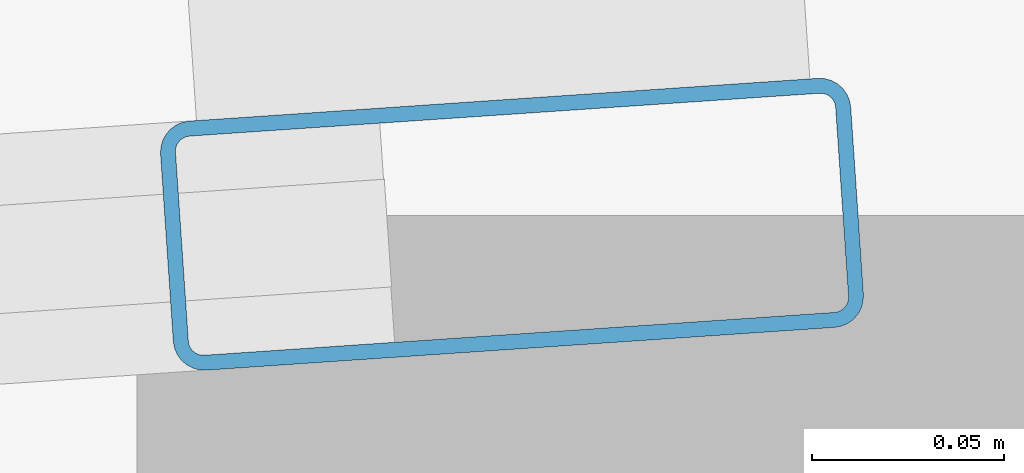
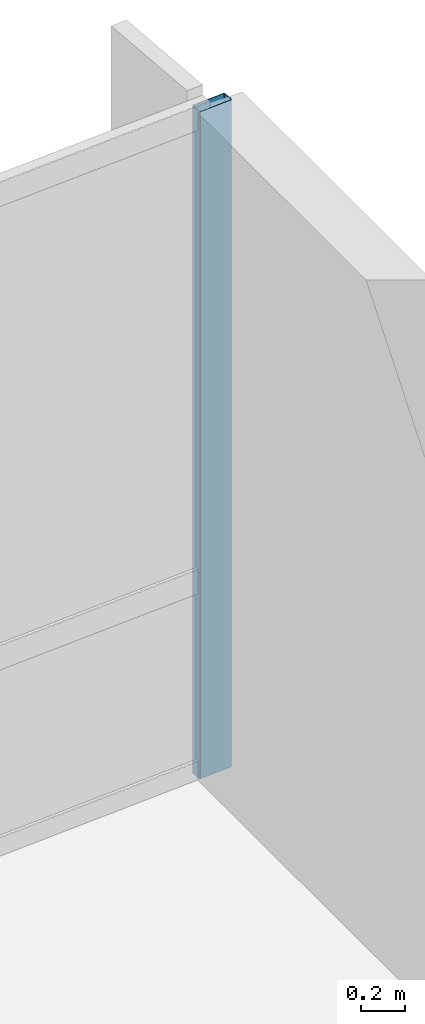
# One storey, part 9 of 17: 1 member, 1 element without a shape of its own.
"""IFC4 building model written with IfcOpenShell, lengths in metres."""

from ifc_helpers import new_model, si_unit, direction, frame, origin, origin_2d, place, context, subcontext, project, spatial, hollow_rectangle, extrude, material, layer, layer_set, material_profile, profile_set, type_object, element, aggregate, save


model = new_model("IFC4")

# Units and contexts
model_context = context("Model", 3, precision=1e-05, world=origin(), true_north=direction((0.0, 1.0)))
body_context = subcontext(model_context, "Body", "Model", "MODEL_VIEW")
ifc_project = project(units=[si_unit("LENGTHUNIT", "METRE"), si_unit("AREAUNIT", "SQUARE_METRE"), si_unit("VOLUMEUNIT", "CUBIC_METRE"), si_unit("PLANEANGLEUNIT", "RADIAN"), si_unit("MASSUNIT", "GRAM", prefix="KILO")], contexts=[model_context])

# Site, building, storey
site_placement = place(None, origin())
site = spatial("IfcSite", under=ifc_project, at=site_placement, CompositionType="ELEMENT")
building_placement = place(site_placement, origin())
building = spatial("IfcBuilding", under=site, at=building_placement, Name="Varnakote Quay Hospital", CompositionType="ELEMENT")
storey_placement = place(building_placement, frame((0.0, 0.0, 219.75)))
storey = spatial("IfcBuildingStorey", under=building, at=storey_placement, Name="L54", CompositionType="ELEMENT", Elevation=219.75)

# Curtain wall, member
ifc_material_1 = material(Name="Anodised aluminium 6063-T6 Bronze", Category="aluminium")
ifc_layer = layer(ifc_material_1, 0.219970703125)
ifc_layer_set = layer_set([ifc_layer], Name="Anodised aluminium 6063-T6 Bronze")
curtain_wall_type = type_object("IfcCurtainWallType", Name="CW-SYS-4", PredefinedType="NOTDEFINED", material=ifc_layer_set)
curtain_wall_placement = place(storey_placement, origin())
curtain_wall = element("IfcCurtainWall", 1, at=curtain_wall_placement, inside=storey, type_object=curtain_wall_type, Name="L54 Unitised Bronze Curtain Wall 2", PredefinedType="NOTDEFINED")
ifc_material_2 = material(Name="Anodised aluminium 6063-T6 Bronze", Category="aluminium")
ifc_material_profile = material_profile(ifc_material_2, hollow_rectangle(XDim=0.06494140625, YDim=0.179931640625, WallThickness=0.00390625, InnerFilletRadius=0.00390625, OuterFilletRadius=0.008056640625, at=origin_2d()), Name="CW-MULL-180x65")
ifc_profile_set = profile_set([ifc_material_profile], Name="Anodised aluminium 6063-T6 Bronze")
member_type = type_object("IfcMemberType", Name="CW-MULL-180x65", PredefinedType="MULLION", material=ifc_profile_set)
member_placement = place(storey_placement, frame((48.507568359375, 31.626708984375, 0.0), z_axis=(0.0, 0.0, 1.0), x_axis=(0.067841851077, -0.997696087615, 0.0)))
member = element("IfcMember", 2, at=member_placement, type_object=member_type, Name="-4-L54-2 mullion 1", PredefinedType="MULLION", context=body_context, shape_type="SweptSolid", body=[
    extrude(hollow_rectangle(XDim=0.06494140625, YDim=0.179931640625, WallThickness=0.00390625, InnerFilletRadius=0.00390625, OuterFilletRadius=0.008056640625, at=origin_2d()), origin(), (0.0, 0.0, 1.0), 3.7099609375),
])
aggregate(curtain_wall, [member])

save(model, "model.ifc")
